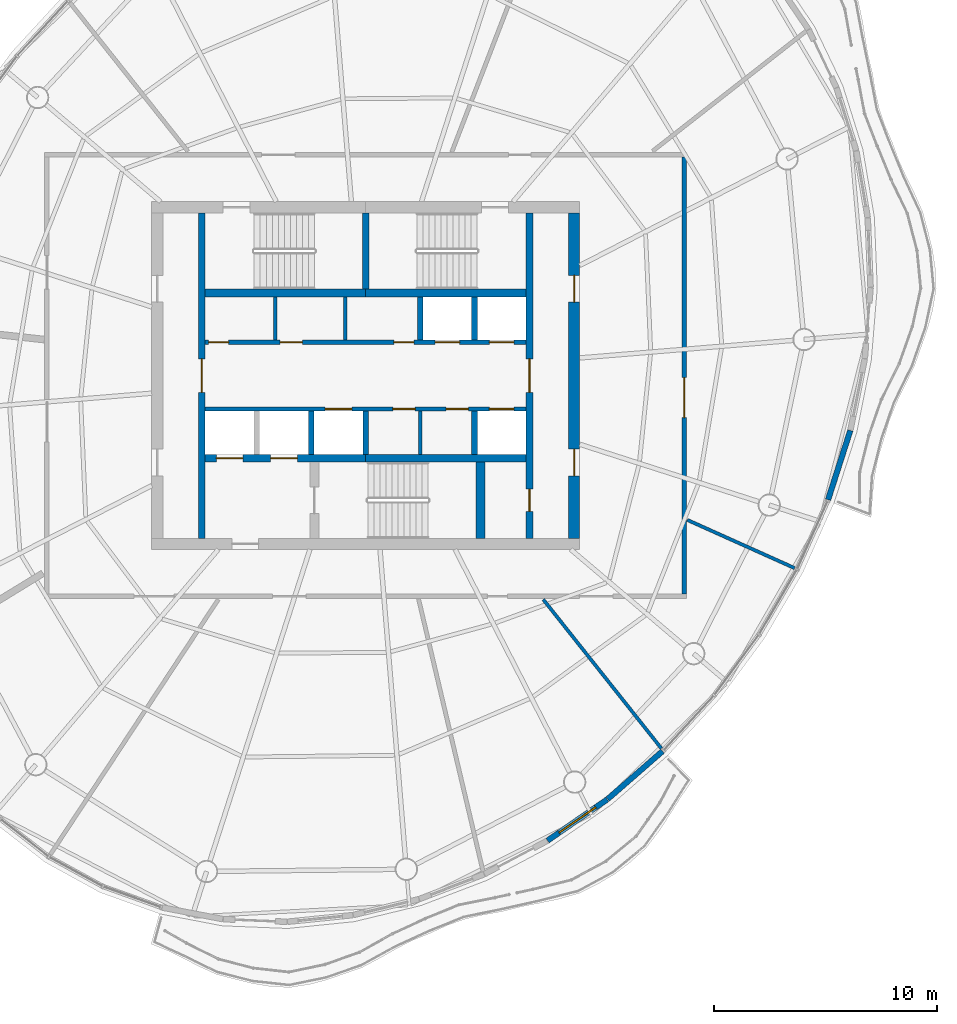
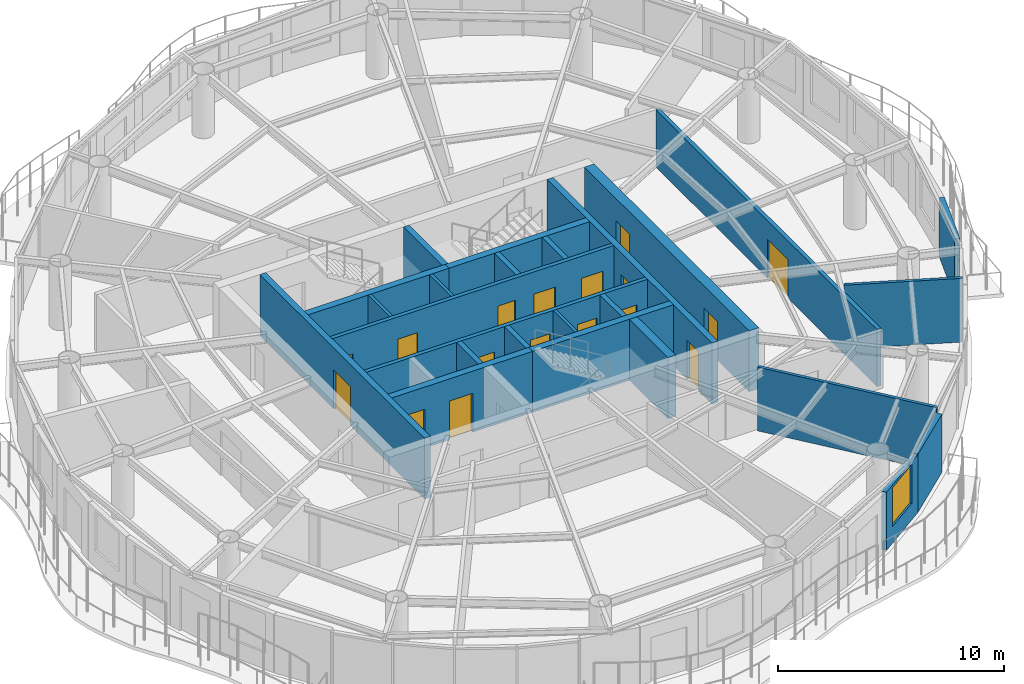
# One storey, part 9 of 15: 25 walls, 17 doors, 1 window, 18 openings.
"""IFC4 building model written with IfcOpenShell, lengths in metres."""

from ifc_helpers import new_model, si_unit, direction, frame, frame_2d, origin, place, context, subcontext, project, spatial, rectangle, extrude, material, layer, layer_set, type_object, element, fill, save


model = new_model("IFC4")

# Units and contexts
model_context = context("Model", 3, precision=1e-05, world=origin(), true_north=direction((0.0, 1.0)))
body_context = subcontext(model_context, "Body", "Model", "MODEL_VIEW")
ifc_project = project(units=[si_unit("LENGTHUNIT", "METRE"), si_unit("AREAUNIT", "SQUARE_METRE"), si_unit("VOLUMEUNIT", "CUBIC_METRE"), si_unit("PLANEANGLEUNIT", "RADIAN"), si_unit("MASSUNIT", "GRAM", prefix="KILO")], contexts=[model_context])

# Site, building, storey
site_placement = place(None, origin())
site = spatial("IfcSite", under=ifc_project, at=site_placement, CompositionType="ELEMENT")
building_placement = place(site_placement, origin())
building = spatial("IfcBuilding", under=site, at=building_placement, Name="Vermilion Reach Broadcast Tower", CompositionType="ELEMENT")
storey_placement = place(building_placement, frame((0.0, 0.0, 261.300048828125)))
storey = spatial("IfcBuildingStorey", under=building, at=storey_placement, Name="L64", CompositionType="ELEMENT", Elevation=261.300048828125)

# Wall, opening, door
ifc_material_1 = material(Name="Concrete C50", Category="concrete")
ifc_layer_1 = layer(ifc_material_1, 0.300048828125)
ifc_layer_set_1 = layer_set([ifc_layer_1], Name="Core inner wall 300 mm Concrete C50")
wall_type_1 = type_object("IfcWallType", Name="Core inner wall 300 mm Concrete C50", PredefinedType="SHEAR", material=ifc_layer_set_1)
wall_1_placement = place(storey_placement, frame((-13.35009765625, 7.300048828125, 0.0), z_axis=(0.0, 0.0, 1.0), x_axis=(0.0, -1.0, 0.0)))
wall_1 = element("IfcWall", 1, at=wall_1_placement, inside=storey, type_object=wall_type_1, Name="L64 core wall ewW", PredefinedType="SHEAR", context=body_context, shape_type="SweptSolid", body=[
    extrude(rectangle(XDim=14.60009765625, YDim=0.300048828125, at=frame_2d((7.300048828125, 0.0))), origin(), (0.0, 0.0, 1.0), 3.300048828125),
])
opening_1_placement = place(wall_1_placement, frame((6.550048828125, 0.0, 0.0)))
opening_1 = element("IfcOpeningElement", 2, at=opening_1_placement, cuts=wall_1, Name="Opening D04", PredefinedType="OPENING", context=body_context, shape_type="SweptSolid", body=[
    extrude(rectangle(XDim=1.5, YDim=2.10009765625, at=frame_2d((0.75, 1.050048828125))), frame((0.0, 0.159912109375, 0.0), z_axis=(0.0, -1.0, 0.0), x_axis=(1.0, 0.0, 0.0)), (0.0, 0.0, 1.0), 0.320068359375),
])
ifc_material_2 = material(Name="Painted steel fire door", Category="steel")
door_type_1 = type_object("IfcDoorType", Name="Lift lobby door 1500 x 2100", OperationType="DOUBLE_DOOR_SINGLE_SWING", PredefinedType="NOTDEFINED", material=ifc_material_2)
door_1_placement = place(opening_1_placement, origin())
door_1 = element("IfcDoor", 3, at=door_1_placement, inside=storey, type_object=door_type_1, Name="L64 band door BW", OperationType="DOUBLE_DOOR_SINGLE_SWING", OverallHeight=2.10009765625, OverallWidth=1.5, PredefinedType="NOTDEFINED", context=body_context, shape_type="SweptSolid", body=[
    extrude(rectangle(XDim=1.5, YDim=2.10009765625, at=frame_2d((0.75, 1.050048828125))), frame((0.0, 0.02490234375, 0.0), z_axis=(0.0, -1.0, 0.0), x_axis=(1.0, 0.0, 0.0)), (0.0, 0.0, 1.0), 0.050048828125),
])
fill(opening_1, door_1)

# Wall, openings, doors
wall_2_placement = place(storey_placement, frame((1.35009765625, -7.300048828125, 0.0), z_axis=(0.0, 0.0, 1.0), x_axis=(0.0, 1.0, 0.0)))
wall_2 = element("IfcWall", 4, at=wall_2_placement, inside=storey, type_object=wall_type_1, Name="L64 core wall ewE", PredefinedType="SHEAR", context=body_context, shape_type="SweptSolid", body=[
    extrude(rectangle(XDim=14.60009765625, YDim=0.300048828125, at=frame_2d((7.300048828125, 0.0))), origin(), (0.0, 0.0, 1.0), 3.300048828125),
])
opening_2_placement = place(wall_2_placement, frame((1.2099609375, 0.0, 0.0)))
opening_2 = element("IfcOpeningElement", 5, at=opening_2_placement, cuts=wall_2, Name="Opening D05", PredefinedType="OPENING", context=body_context, shape_type="SweptSolid", body=[
    extrude(rectangle(XDim=1.0, YDim=2.10009765625, at=frame_2d((0.5, 1.050048828125))), frame((0.0, 0.159912109375, 0.0), z_axis=(0.0, -1.0, 0.0), x_axis=(1.0, 0.0, 0.0)), (0.0, 0.0, 1.0), 0.320068359375),
])
opening_3_placement = place(wall_2_placement, frame((6.550048828125, 0.0, 0.0)))
opening_3 = element("IfcOpeningElement", 6, at=opening_3_placement, cuts=wall_2, Name="Opening D04", PredefinedType="OPENING", context=body_context, shape_type="SweptSolid", body=[
    extrude(rectangle(XDim=1.5, YDim=2.10009765625, at=frame_2d((0.75, 1.050048828125))), frame((0.0, 0.159912109375, 0.0), z_axis=(0.0, -1.0, 0.0), x_axis=(1.0, 0.0, 0.0)), (0.0, 0.0, 1.0), 0.320068359375),
])
door_2_placement = place(opening_3_placement, origin())
door_2 = element("IfcDoor", 7, at=door_2_placement, inside=storey, type_object=door_type_1, Name="L64 band door BE", OperationType="DOUBLE_DOOR_SINGLE_SWING", OverallHeight=2.10009765625, OverallWidth=1.5, PredefinedType="NOTDEFINED", context=body_context, shape_type="SweptSolid", body=[
    extrude(rectangle(XDim=1.5, YDim=2.10009765625, at=frame_2d((0.75, 1.050048828125))), frame((0.0, 0.02490234375, 0.0), z_axis=(0.0, -1.0, 0.0), x_axis=(1.0, 0.0, 0.0)), (0.0, 0.0, 1.0), 0.050048828125),
])
fill(opening_3, door_2)
ifc_material_3 = material(Name="Timber door", Category="wood")
door_type_2 = type_object("IfcDoorType", Name="Room door 1000 x 2100", OperationType="NOTDEFINED", PredefinedType="NOTDEFINED", material=ifc_material_3)
door_3_placement = place(opening_2_placement, origin())
door_3 = element("IfcDoor", 8, at=door_3_placement, inside=storey, type_object=door_type_2, Name="L64 door SER", OperationType="SINGLE_SWING_LEFT", OverallHeight=2.10009765625, OverallWidth=1.0, PredefinedType="NOTDEFINED", context=body_context, shape_type="SweptSolid", body=[
    extrude(rectangle(XDim=1.0, YDim=2.10009765625, at=frame_2d((0.5, 1.050048828125))), frame((0.0, 0.02490234375, 0.0), z_axis=(0.0, -1.0, 0.0), x_axis=(1.0, 0.0, 0.0)), (0.0, 0.0, 1.0), 0.050048828125),
])
fill(opening_2, door_3)

# Walls
wall_3_placement = place(storey_placement, frame((-6.0, 3.8798828125, 0.0), z_axis=(0.0, 0.0, 1.0), x_axis=(0.0, 1.0, 0.0)))
element("IfcWall", 9, at=wall_3_placement, inside=storey, type_object=wall_type_1, Name="L64 core wall wc", PredefinedType="SHEAR", context=body_context, shape_type="SweptSolid", body=[
    extrude(rectangle(XDim=3.420166015625, YDim=0.300048828125, at=frame_2d((1.7099609375, 0.0))), origin(), (0.0, 0.0, 1.0), 3.300048828125),
])
ifc_material_4 = material(Name="Concrete C50", Category="concrete")
ifc_layer_2 = layer(ifc_material_4, 0.35009765625)
ifc_layer_set_2 = layer_set([ifc_layer_2], Name="Core inner wall 350 mm Concrete C50")
wall_type_2 = type_object("IfcWallType", Name="Core inner wall 350 mm Concrete C50", PredefinedType="SHEAR", material=ifc_layer_set_2)
for number, where, z_axis, x_axis, name in (
    (10, (-13.199951171875, 3.705078125, 0.0), (0.0, 0.0, 1.0), (1.0, 0.0, 0.0), "L64 core wall winW"),
    (11, (-6.0, 3.705078125, 0.0), (0.0, 0.0, 1.0), (1.0, 0.0, 0.0), "L64 core wall winE"),
):
    element("IfcWall", number, at=place(storey_placement, frame(where, z_axis=z_axis, x_axis=x_axis)), inside=storey, type_object=wall_type_2, Name=name, PredefinedType="SHEAR", context=body_context, shape_type="SweptSolid", body=[
        extrude(rectangle(XDim=7.199951171875, YDim=0.35009765625, at=frame_2d((3.60009765625, 0.0))), origin(), (0.0, 0.0, 1.0), 3.300048828125),
    ])

# Wall, openings, doors
wall_4_placement = place(storey_placement, frame((-13.199951171875, -3.705078125, 0.0), z_axis=(0.0, 0.0, 1.0), x_axis=(1.0, 0.0, 0.0)))
wall_4 = element("IfcWall", 12, at=wall_4_placement, inside=storey, type_object=wall_type_2, Name="L64 core wall wisW", PredefinedType="SHEAR", context=body_context, shape_type="SweptSolid", body=[
    extrude(rectangle(XDim=7.199951171875, YDim=0.35009765625, at=frame_2d((3.60009765625, 0.0))), origin(), (0.0, 0.0, 1.0), 3.300048828125),
])
opening_4_placement = place(wall_4_placement, frame((0.495849609375, 0.0, 0.0)))
opening_4 = element("IfcOpeningElement", 13, at=opening_4_placement, cuts=wall_4, Name="Opening LD1", PredefinedType="OPENING", context=body_context, shape_type="SweptSolid", body=[
    extrude(rectangle(XDim=1.199951171875, YDim=2.10009765625, at=frame_2d((0.60009765625, 1.050048828125))), frame((0.0, 0.18505859375, 0.0), z_axis=(0.0, -1.0, 0.0), x_axis=(1.0, 0.0, 0.0)), (0.0, 0.0, 1.0), 0.3701171875),
])
opening_5_placement = place(wall_4_placement, frame((2.9375, 0.0, 0.0)))
opening_5 = element("IfcOpeningElement", 14, at=opening_5_placement, cuts=wall_4, Name="Opening LD1", PredefinedType="OPENING", context=body_context, shape_type="SweptSolid", body=[
    extrude(rectangle(XDim=1.199951171875, YDim=2.10009765625, at=frame_2d((0.60009765625, 1.050048828125))), frame((0.0, 0.18505859375, 0.0), z_axis=(0.0, -1.0, 0.0), x_axis=(1.0, 0.0, 0.0)), (0.0, 0.0, 1.0), 0.3701171875),
])
ifc_material_5 = material(Name="Stainless steel", Category="steel")
door_type_3 = type_object("IfcDoorType", Name="Landing door 1200 x 2100", OperationType="DOUBLE_DOOR_SLIDING", PredefinedType="NOTDEFINED", material=ifc_material_5)
door_4_placement = place(opening_4_placement, origin())
door_4 = element("IfcDoor", 15, at=door_4_placement, inside=storey, type_object=door_type_3, Name="L64 landing door FF1", OperationType="DOUBLE_DOOR_SLIDING", OverallHeight=2.10009765625, OverallWidth=1.199951171875, PredefinedType="NOTDEFINED", context=body_context, shape_type="SweptSolid", body=[
    extrude(rectangle(XDim=1.199951171875, YDim=2.10009765625, at=frame_2d((0.60009765625, 1.050048828125))), frame((0.0, 0.02490234375, 0.0), z_axis=(0.0, -1.0, 0.0), x_axis=(1.0, 0.0, 0.0)), (0.0, 0.0, 1.0), 0.050048828125),
])
fill(opening_4, door_4)
door_5_placement = place(opening_5_placement, origin())
door_5 = element("IfcDoor", 16, at=door_5_placement, inside=storey, type_object=door_type_3, Name="L64 landing door FF2", OperationType="DOUBLE_DOOR_SLIDING", OverallHeight=2.10009765625, OverallWidth=1.199951171875, PredefinedType="NOTDEFINED", context=body_context, shape_type="SweptSolid", body=[
    extrude(rectangle(XDim=1.199951171875, YDim=2.10009765625, at=frame_2d((0.60009765625, 1.050048828125))), frame((0.0, 0.02490234375, 0.0), z_axis=(0.0, -1.0, 0.0), x_axis=(1.0, 0.0, 0.0)), (0.0, 0.0, 1.0), 0.050048828125),
])
fill(opening_5, door_5)

# Walls
wall_5_placement = place(storey_placement, frame((-6.0, -3.705078125, 0.0), z_axis=(0.0, 0.0, 1.0), x_axis=(1.0, 0.0, 0.0)))
element("IfcWall", 17, at=wall_5_placement, inside=storey, type_object=wall_type_2, Name="L64 core wall wisE", PredefinedType="SHEAR", context=body_context, shape_type="SweptSolid", body=[
    extrude(rectangle(XDim=7.199951171875, YDim=0.35009765625, at=frame_2d((3.60009765625, 0.0))), origin(), (0.0, 0.0, 1.0), 3.300048828125),
])
ifc_material_6 = material(Name="Concrete C50", Category="concrete")
ifc_layer_3 = layer(ifc_material_6, 0.39990234375)
ifc_layer_set_3 = layer_set([ifc_layer_3], Name="Core inner wall 400 mm Concrete C50")
wall_type_3 = type_object("IfcWallType", Name="Core inner wall 400 mm Concrete C50", PredefinedType="SHEAR", material=ifc_layer_set_3)
wall_6_placement = place(storey_placement, frame((-0.85009765625, -3.8798828125, 0.0), z_axis=(0.0, 0.0, 1.0), x_axis=(0.0, -1.0, 0.0)))
element("IfcWall", 18, at=wall_6_placement, inside=storey, type_object=wall_type_3, Name="L64 core wall wb", PredefinedType="SHEAR", context=body_context, shape_type="SweptSolid", body=[
    extrude(rectangle(XDim=3.420166015625, YDim=0.39990234375, at=frame_2d((1.7099609375, 0.0))), origin(), (0.0, 0.0, 1.0), 3.300048828125),
])

# Wall, openings, doors
ifc_material_7 = material(Name="Concrete C50", Category="concrete")
ifc_layer_4 = layer(ifc_material_7, 0.5)
ifc_layer_set_4 = layer_set([ifc_layer_4], Name="Core outer wall 500 mm Concrete C50")
wall_type_4 = type_object("IfcWallType", Name="Core outer wall 500 mm Concrete C50", PredefinedType="SHEAR", material=ifc_layer_set_4)
wall_7_placement = place(storey_placement, frame((3.35009765625, -7.300048828125, 0.0), z_axis=(0.0, 0.0, 1.0), x_axis=(0.0, 1.0, 0.0)))
wall_7 = element("IfcWall", 19, at=wall_7_placement, inside=storey, type_object=wall_type_4, Name="L64 core wall oe", PredefinedType="SHEAR", context=body_context, shape_type="SweptSolid", body=[
    extrude(rectangle(XDim=14.60009765625, YDim=0.5, at=frame_2d((7.300048828125, 0.0))), origin(), (0.0, 0.0, 1.0), 3.300048828125),
])
opening_6_placement = place(wall_7_placement, frame((2.800048828125, 0.0, 0.0)))
opening_6 = element("IfcOpeningElement", 20, at=opening_6_placement, cuts=wall_7, Name="Opening D03", PredefinedType="OPENING", context=body_context, shape_type="SweptSolid", body=[
    extrude(rectangle(XDim=1.199951171875, YDim=2.10009765625, at=frame_2d((0.60009765625, 1.050048828125))), frame((0.0, 0.260009765625, 0.0), z_axis=(0.0, -1.0, 0.0), x_axis=(1.0, 0.0, 0.0)), (0.0, 0.0, 1.0), 0.52001953125),
])
opening_7_placement = place(wall_7_placement, frame((10.60009765625, 0.0, 0.0)))
opening_7 = element("IfcOpeningElement", 21, at=opening_7_placement, cuts=wall_7, Name="Opening D03", PredefinedType="OPENING", context=body_context, shape_type="SweptSolid", body=[
    extrude(rectangle(XDim=1.199951171875, YDim=2.10009765625, at=frame_2d((0.60009765625, 1.050048828125))), frame((0.0, 0.260009765625, 0.0), z_axis=(0.0, -1.0, 0.0), x_axis=(1.0, 0.0, 0.0)), (0.0, 0.0, 1.0), 0.52001953125),
])
ifc_material_8 = material(Name="Painted steel fire door", Category="steel")
door_type_4 = type_object("IfcDoorType", Name="Core lobby door 1200 x 2100", OperationType="DOUBLE_DOOR_SINGLE_SWING", PredefinedType="NOTDEFINED", material=ifc_material_8)
door_6_placement = place(opening_6_placement, origin())
door_6 = element("IfcDoor", 22, at=door_6_placement, inside=storey, type_object=door_type_4, Name="L64 slot door E0", OperationType="DOUBLE_DOOR_SINGLE_SWING", OverallHeight=2.10009765625, OverallWidth=1.199951171875, PredefinedType="NOTDEFINED", context=body_context, shape_type="SweptSolid", body=[
    extrude(rectangle(XDim=1.199951171875, YDim=2.10009765625, at=frame_2d((0.60009765625, 1.050048828125))), frame((0.0, 0.02490234375, 0.0), z_axis=(0.0, -1.0, 0.0), x_axis=(1.0, 0.0, 0.0)), (0.0, 0.0, 1.0), 0.050048828125),
])
fill(opening_6, door_6)
door_7_placement = place(opening_7_placement, origin())
door_7 = element("IfcDoor", 23, at=door_7_placement, inside=storey, type_object=door_type_4, Name="L64 slot door E1", OperationType="DOUBLE_DOOR_SINGLE_SWING", OverallHeight=2.10009765625, OverallWidth=1.199951171875, PredefinedType="NOTDEFINED", context=body_context, shape_type="SweptSolid", body=[
    extrude(rectangle(XDim=1.199951171875, YDim=2.10009765625, at=frame_2d((0.60009765625, 1.050048828125))), frame((0.0, 0.02490234375, 0.0), z_axis=(0.0, -1.0, 0.0), x_axis=(1.0, 0.0, 0.0)), (0.0, 0.0, 1.0), 0.050048828125),
])
fill(opening_7, door_7)

# Walls
ifc_material_9 = material(Name="Masonry block", Category="masonry")
ifc_layer_5 = layer(ifc_material_9, 0.14990234375)
ifc_layer_set_5 = layer_set([ifc_layer_5], Name="Core partition wall 150 mm Masonry block")
wall_type_5 = type_object("IfcWallType", Name="Core partition wall 150 mm Masonry block", PredefinedType="PARTITIONING", material=ifc_layer_set_5)
for number, where, z_axis, x_axis, name in (
    (24, (-10.0595703125, 1.60009765625, 0.0), (0.0, 0.0, 1.0), (0.0, 1.0, 0.0), "L64 core wall prN-4060"),
    (25, (-6.9189453125, 1.60009765625, 0.0), (0.0, 0.0, 1.0), (0.0, 1.0, 0.0), "L64 core wall prN-919"),
    (26, (-3.558349609375, -1.60009765625, 0.0), (0.0, 0.0, 1.0), (0.0, -1.0, 0.0), "L64 core wall prS2442"),
):
    element("IfcWall", number, at=place(storey_placement, frame(where, z_axis=z_axis, x_axis=x_axis)), inside=storey, type_object=wall_type_5, Name=name, PredefinedType="PARTITIONING", context=body_context, shape_type="SweptSolid", body=[
        extrude(rectangle(XDim=1.929931640625, YDim=0.14990234375, at=frame_2d((0.96484375, 0.0))), origin(), (0.0, 0.0, 1.0), 3.300048828125),
    ])

# Wall, openings, doors
ifc_material_10 = material(Name="Concrete C50", Category="concrete")
ifc_layer_6 = layer(ifc_material_10, 0.199951171875)
ifc_layer_set_6 = layer_set([ifc_layer_6], Name="Core shaft wall 200 mm Concrete C50")
wall_type_6 = type_object("IfcWallType", Name="Core shaft wall 200 mm Concrete C50", PredefinedType="SHEAR", material=ifc_layer_set_6)
wall_8_placement = place(storey_placement, frame((-13.199951171875, 1.5, 0.0), z_axis=(0.0, 0.0, 1.0), x_axis=(1.0, 0.0, 0.0)))
wall_8 = element("IfcWall", 27, at=wall_8_placement, inside=storey, type_object=wall_type_6, Name="L64 core wall fn", PredefinedType="SHEAR", context=body_context, shape_type="SweptSolid", body=[
    extrude(rectangle(XDim=14.39990234375, YDim=0.199951171875, at=frame_2d((7.199951171875, 0.0))), origin(), (0.0, 0.0, 1.0), 3.300048828125),
])
opening_8_placement = place(wall_8_placement, frame((10.3125, 0.0, 0.0)))
opening_8 = element("IfcOpeningElement", 28, at=opening_8_placement, cuts=wall_8, Name="Opening LD2", PredefinedType="OPENING", context=body_context, shape_type="SweptSolid", body=[
    extrude(rectangle(XDim=1.10009765625, YDim=2.10009765625, at=frame_2d((0.550048828125, 1.050048828125))), frame((0.0, 0.10986328125, 0.0), z_axis=(0.0, -1.0, 0.0), x_axis=(1.0, 0.0, 0.0)), (0.0, 0.0, 1.0), 0.219970703125),
])
opening_9_placement = place(wall_8_placement, frame((12.754150390625, 0.0, 0.0)))
opening_9 = element("IfcOpeningElement", 29, at=opening_9_placement, cuts=wall_8, Name="Opening LD2", PredefinedType="OPENING", context=body_context, shape_type="SweptSolid", body=[
    extrude(rectangle(XDim=1.10009765625, YDim=2.10009765625, at=frame_2d((0.550048828125, 1.050048828125))), frame((0.0, 0.10986328125, 0.0), z_axis=(0.0, -1.0, 0.0), x_axis=(1.0, 0.0, 0.0)), (0.0, 0.0, 1.0), 0.219970703125),
])
opening_10_placement = place(wall_8_placement, frame((0.14990234375, 0.0, 0.0)))
opening_10 = element("IfcOpeningElement", 30, at=opening_10_placement, cuts=wall_8, Name="Opening D06", PredefinedType="OPENING", context=body_context, shape_type="SweptSolid", body=[
    extrude(rectangle(XDim=0.89990234375, YDim=2.10009765625, at=frame_2d((0.449951171875, 1.050048828125))), frame((0.0, 0.10986328125, 0.0), z_axis=(0.0, -1.0, 0.0), x_axis=(1.0, 0.0, 0.0)), (0.0, 0.0, 1.0), 0.219970703125),
])
opening_11_placement = place(wall_8_placement, frame((3.365478515625, 0.0, 0.0)))
opening_11 = element("IfcOpeningElement", 31, at=opening_11_placement, cuts=wall_8, Name="Opening D07", PredefinedType="OPENING", context=body_context, shape_type="SweptSolid", body=[
    extrude(rectangle(XDim=1.0, YDim=2.10009765625, at=frame_2d((0.5, 1.050048828125))), frame((0.0, 0.10986328125, 0.0), z_axis=(0.0, -1.0, 0.0), x_axis=(1.0, 0.0, 0.0)), (0.0, 0.0, 1.0), 0.219970703125),
])
opening_12_placement = place(wall_8_placement, frame((8.466552734375, 0.0, 0.0)))
opening_12 = element("IfcOpeningElement", 32, at=opening_12_placement, cuts=wall_8, Name="Opening D06", PredefinedType="OPENING", context=body_context, shape_type="SweptSolid", body=[
    extrude(rectangle(XDim=0.89990234375, YDim=2.10009765625, at=frame_2d((0.449951171875, 1.050048828125))), frame((0.0, 0.10986328125, 0.0), z_axis=(0.0, -1.0, 0.0), x_axis=(1.0, 0.0, 0.0)), (0.0, 0.0, 1.0), 0.219970703125),
])
ifc_material_11 = material(Name="Timber door", Category="wood")
door_type_5 = type_object("IfcDoorType", Name="Accessible WC door 1000 x 2100", OperationType="NOTDEFINED", PredefinedType="NOTDEFINED", material=ifc_material_11)
door_8_placement = place(opening_11_placement, origin())
door_8 = element("IfcDoor", 33, at=door_8_placement, inside=storey, type_object=door_type_5, Name="L64 door Accessible WC", OperationType="SINGLE_SWING_LEFT", OverallHeight=2.10009765625, OverallWidth=1.0, PredefinedType="NOTDEFINED", context=body_context, shape_type="SweptSolid", body=[
    extrude(rectangle(XDim=1.0, YDim=2.10009765625, at=frame_2d((0.5, 1.050048828125))), frame((0.0, 0.02490234375, 0.0), z_axis=(0.0, -1.0, 0.0), x_axis=(1.0, 0.0, 0.0)), (0.0, 0.0, 1.0), 0.050048828125),
])
fill(opening_11, door_8)
ifc_material_12 = material(Name="Stainless steel", Category="steel")
door_type_6 = type_object("IfcDoorType", Name="Landing door 1100 x 2100", OperationType="DOUBLE_DOOR_SLIDING", PredefinedType="NOTDEFINED", material=ifc_material_12)
door_9_placement = place(opening_8_placement, origin())
door_9 = element("IfcDoor", 34, at=door_9_placement, inside=storey, type_object=door_type_6, Name="L64 landing door HR1", OperationType="DOUBLE_DOOR_SLIDING", OverallHeight=2.10009765625, OverallWidth=1.10009765625, PredefinedType="NOTDEFINED", context=body_context, shape_type="SweptSolid", body=[
    extrude(rectangle(XDim=1.10009765625, YDim=2.10009765625, at=frame_2d((0.550048828125, 1.050048828125))), frame((0.0, 0.02490234375, 0.0), z_axis=(0.0, -1.0, 0.0), x_axis=(1.0, 0.0, 0.0)), (0.0, 0.0, 1.0), 0.050048828125),
])
fill(opening_8, door_9)
door_10_placement = place(opening_9_placement, origin())
door_10 = element("IfcDoor", 35, at=door_10_placement, inside=storey, type_object=door_type_6, Name="L64 landing door HR2", OperationType="DOUBLE_DOOR_SLIDING", OverallHeight=2.10009765625, OverallWidth=1.10009765625, PredefinedType="NOTDEFINED", context=body_context, shape_type="SweptSolid", body=[
    extrude(rectangle(XDim=1.10009765625, YDim=2.10009765625, at=frame_2d((0.550048828125, 1.050048828125))), frame((0.0, 0.02490234375, 0.0), z_axis=(0.0, -1.0, 0.0), x_axis=(1.0, 0.0, 0.0)), (0.0, 0.0, 1.0), 0.050048828125),
])
fill(opening_9, door_10)
ifc_material_13 = material(Name="Timber door", Category="wood")
door_type_7 = type_object("IfcDoorType", Name="WC door 900 x 2100", OperationType="NOTDEFINED", PredefinedType="NOTDEFINED", material=ifc_material_13)
door_11_placement = place(opening_10_placement, origin())
door_11 = element("IfcDoor", 36, at=door_11_placement, inside=storey, type_object=door_type_7, Name="L64 door Male WC", OperationType="SINGLE_SWING_LEFT", OverallHeight=2.10009765625, OverallWidth=0.89990234375, PredefinedType="NOTDEFINED", context=body_context, shape_type="SweptSolid", body=[
    extrude(rectangle(XDim=0.89990234375, YDim=2.10009765625, at=frame_2d((0.449951171875, 1.050048828125))), frame((0.0, 0.02490234375, 0.0), z_axis=(0.0, -1.0, 0.0), x_axis=(1.0, 0.0, 0.0)), (0.0, 0.0, 1.0), 0.050048828125),
])
fill(opening_10, door_11)
door_12_placement = place(opening_12_placement, origin())
door_12 = element("IfcDoor", 37, at=door_12_placement, inside=storey, type_object=door_type_7, Name="L64 door Female WC", OperationType="SINGLE_SWING_RIGHT", OverallHeight=2.10009765625, OverallWidth=0.89990234375, PredefinedType="NOTDEFINED", context=body_context, shape_type="SweptSolid", body=[
    extrude(rectangle(XDim=0.89990234375, YDim=2.10009765625, at=frame_2d((0.449951171875, 1.050048828125))), frame((0.0, 0.02490234375, 0.0), z_axis=(0.0, -1.0, 0.0), x_axis=(1.0, 0.0, 0.0)), (0.0, 0.0, 1.0), 0.050048828125),
])
fill(opening_12, door_12)

wall_9_placement = place(storey_placement, frame((1.199951171875, -1.5, 0.0), z_axis=(0.0, 0.0, 1.0), x_axis=(-1.0, 0.0, 0.0)))
wall_9 = element("IfcWall", 38, at=wall_9_placement, inside=storey, type_object=wall_type_6, Name="L64 core wall fs", PredefinedType="SHEAR", context=body_context, shape_type="SweptSolid", body=[
    extrude(rectangle(XDim=14.39990234375, YDim=0.199951171875, at=frame_2d((7.199951171875, 0.0))), origin(), (0.0, 0.0, 1.0), 3.300048828125),
])
opening_13_placement = place(wall_9_placement, frame((7.82080078125, 0.0, 0.0)))
opening_13 = element("IfcOpeningElement", 39, at=opening_13_placement, cuts=wall_9, Name="Opening LD1", PredefinedType="OPENING", context=body_context, shape_type="SweptSolid", body=[
    extrude(rectangle(XDim=1.199951171875, YDim=2.10009765625, at=frame_2d((0.60009765625, 1.050048828125))), frame((0.0, 0.10986328125, 0.0), z_axis=(0.0, -1.0, 0.0), x_axis=(1.0, 0.0, 0.0)), (0.0, 0.0, 1.0), 0.219970703125),
])
opening_14_placement = place(wall_9_placement, frame((0.5458984375, 0.0, 0.0)))
opening_14 = element("IfcOpeningElement", 40, at=opening_14_placement, cuts=wall_9, Name="Opening LD2", PredefinedType="OPENING", context=body_context, shape_type="SweptSolid", body=[
    extrude(rectangle(XDim=1.10009765625, YDim=2.10009765625, at=frame_2d((0.550048828125, 1.050048828125))), frame((0.0, 0.10986328125, 0.0), z_axis=(0.0, -1.0, 0.0), x_axis=(1.0, 0.0, 0.0)), (0.0, 0.0, 1.0), 0.219970703125),
])
opening_15_placement = place(wall_9_placement, frame((4.9833984375, 0.0, 0.0)))
opening_15 = element("IfcOpeningElement", 41, at=opening_15_placement, cuts=wall_9, Name="Opening D10", PredefinedType="OPENING", context=body_context, shape_type="SweptSolid", body=[
    extrude(rectangle(XDim=1.0, YDim=2.10009765625, at=frame_2d((0.5, 1.050048828125))), frame((0.0, 0.10986328125, 0.0), z_axis=(0.0, -1.0, 0.0), x_axis=(1.0, 0.0, 0.0)), (0.0, 0.0, 1.0), 0.219970703125),
])
opening_16_placement = place(wall_9_placement, frame((2.591552734375, 0.0, 0.0)))
opening_16 = element("IfcOpeningElement", 42, at=opening_16_placement, cuts=wall_9, Name="Opening D11", PredefinedType="OPENING", context=body_context, shape_type="SweptSolid", body=[
    extrude(rectangle(XDim=1.0, YDim=2.10009765625, at=frame_2d((0.5, 1.050048828125))), frame((0.0, 0.10986328125, 0.0), z_axis=(0.0, -1.0, 0.0), x_axis=(1.0, 0.0, 0.0)), (0.0, 0.0, 1.0), 0.219970703125),
])
door_13_placement = place(opening_14_placement, origin())
door_13 = element("IfcDoor", 43, at=door_13_placement, inside=storey, type_object=door_type_6, Name="L64 landing door HR3", OperationType="DOUBLE_DOOR_SLIDING", OverallHeight=2.10009765625, OverallWidth=1.10009765625, PredefinedType="NOTDEFINED", context=body_context, shape_type="SweptSolid", body=[
    extrude(rectangle(XDim=1.10009765625, YDim=2.10009765625, at=frame_2d((0.550048828125, 1.050048828125))), frame((0.0, 0.02490234375, 0.0), z_axis=(0.0, -1.0, 0.0), x_axis=(1.0, 0.0, 0.0)), (0.0, 0.0, 1.0), 0.050048828125),
])
fill(opening_14, door_13)
door_14_placement = place(opening_13_placement, origin())
door_14 = element("IfcDoor", 44, at=door_14_placement, inside=storey, type_object=door_type_3, Name="L64 landing door SV1", OperationType="DOUBLE_DOOR_SLIDING", OverallHeight=2.10009765625, OverallWidth=1.199951171875, PredefinedType="NOTDEFINED", context=body_context, shape_type="SweptSolid", body=[
    extrude(rectangle(XDim=1.199951171875, YDim=2.10009765625, at=frame_2d((0.60009765625, 1.050048828125))), frame((0.0, 0.02490234375, 0.0), z_axis=(0.0, -1.0, 0.0), x_axis=(1.0, 0.0, 0.0)), (0.0, 0.0, 1.0), 0.050048828125),
])
fill(opening_13, door_14)
ifc_material_14 = material(Name="Painted steel fire door", Category="steel")
door_type_8 = type_object("IfcDoorType", Name="Services room door 1000 x 2100", OperationType="NOTDEFINED", PredefinedType="NOTDEFINED", material=ifc_material_14)
door_15_placement = place(opening_16_placement, origin())
door_15 = element("IfcDoor", 45, at=door_15_placement, inside=storey, type_object=door_type_8, Name="L64 door Electrical room", OperationType="SINGLE_SWING_LEFT", OverallHeight=2.10009765625, OverallWidth=1.0, PredefinedType="NOTDEFINED", context=body_context, shape_type="SweptSolid", body=[
    extrude(rectangle(XDim=1.0, YDim=2.10009765625, at=frame_2d((0.5, 1.050048828125))), frame((0.0, 0.02490234375, 0.0), z_axis=(0.0, -1.0, 0.0), x_axis=(1.0, 0.0, 0.0)), (0.0, 0.0, 1.0), 0.050048828125),
])
fill(opening_16, door_15)
ifc_material_15 = material(Name="Timber door", Category="wood")
door_type_9 = type_object("IfcDoorType", Name="WC lobby door 1000 x 2100", OperationType="NOTDEFINED", PredefinedType="NOTDEFINED", material=ifc_material_15)
door_16_placement = place(opening_15_placement, origin())
door_16 = element("IfcDoor", 46, at=door_16_placement, inside=storey, type_object=door_type_9, Name="L64 door WC lobby", OperationType="SINGLE_SWING_LEFT", OverallHeight=2.10009765625, OverallWidth=1.0, PredefinedType="NOTDEFINED", context=body_context, shape_type="SweptSolid", body=[
    extrude(rectangle(XDim=1.0, YDim=2.10009765625, at=frame_2d((0.5, 1.050048828125))), frame((0.0, 0.02490234375, 0.0), z_axis=(0.0, -1.0, 0.0), x_axis=(1.0, 0.0, 0.0)), (0.0, 0.0, 1.0), 0.050048828125),
])
fill(opening_15, door_16)

# Walls
ifc_material_16 = material(Name="Concrete C50", Category="concrete")
ifc_layer_7 = layer(ifc_material_16, 0.25)
ifc_layer_set_7 = layer_set([ifc_layer_7], Name="Core shaft wall 250 mm Concrete C50")
wall_type_7 = type_object("IfcWallType", Name="Core shaft wall 250 mm Concrete C50", PredefinedType="SHEAR", material=ifc_layer_set_7)
for number, where, z_axis, x_axis, name in (
    (47, (-3.558349609375, 1.60009765625, 0.0), (0.0, 0.0, 1.0), (0.0, 1.0, 0.0), "L64 core wall psN3"),
    (48, (-1.11669921875, 1.60009765625, 0.0), (0.0, 0.0, 1.0), (0.0, 1.0, 0.0), "L64 core wall psN4"),
    (49, (-8.441650390625, -1.60009765625, 0.0), (0.0, 0.0, 1.0), (0.0, -1.0, 0.0), "L64 core wall psS1"),
    (50, (-6.0, -1.60009765625, 0.0), (0.0, 0.0, 1.0), (0.0, -1.0, 0.0), "L64 core wall psS2"),
    (51, (-1.11669921875, -1.60009765625, 0.0), (0.0, 0.0, 1.0), (0.0, -1.0, 0.0), "L64 core wall psS4"),
):
    element("IfcWall", number, at=place(storey_placement, frame(where, z_axis=z_axis, x_axis=x_axis)), inside=storey, type_object=wall_type_7, Name=name, PredefinedType="SHEAR", context=body_context, shape_type="SweptSolid", body=[
        extrude(rectangle(XDim=1.929931640625, YDim=0.25, at=frame_2d((0.96484375, 0.0))), origin(), (0.0, 0.0, 1.0), 3.300048828125),
    ])
ifc_material_17 = material(Name="Lightweight concrete block, plastered", Category="concrete")
ifc_layer_8 = layer(ifc_material_17, 0.14990234375)
ifc_layer_set_8 = layer_set([ifc_layer_8], Name="Partition 150 lightweight block")
wall_type_8 = type_object("IfcWallType", Name="Partition 150 lightweight block", PredefinedType="PARTITIONING", material=ifc_layer_set_8)
wall_10_placement = place(storey_placement, frame((7.268798828125, -16.729736328125, 0.0), z_axis=(0.0, 0.0, 1.0), x_axis=(-0.62140501057, 0.783489510356, 0.0)))
element("IfcWall", 52, at=wall_10_placement, inside=storey, type_object=wall_type_8, Name="Partition 64.07", PredefinedType="PARTITIONING", context=body_context, shape_type="SweptSolid", body=[
    extrude(rectangle(XDim=8.530029296875, YDim=0.14990234375, at=frame_2d((4.26513671875, 0.0))), origin(), (0.0, 0.0, 1.0), 3.449951171875),
])
wall_11_placement = place(storey_placement, frame((13.24267578125, -8.636962890625, 0.0), z_axis=(0.0, 0.0, 1.0), x_axis=(-0.912328117743, 0.409459894954, 0.0)))
element("IfcWall", 53, at=wall_11_placement, inside=storey, type_object=wall_type_8, Name="Partition 64.08", PredefinedType="PARTITIONING", context=body_context, shape_type="SweptSolid", body=[
    extrude(rectangle(XDim=5.2744140625, YDim=0.14990234375, at=frame_2d((2.63720703125, 0.0))), origin(), (0.0, 0.0, 1.0), 3.449951171875),
])

# Wall, opening, window
ifc_material_18 = material(Name="Terracotta rainscreen cladding", Category="masonry")
ifc_layer_9 = layer(ifc_material_18, 0.25)
ifc_layer_set_9 = layer_set([ifc_layer_9], Name="Terracotta rainscreen wall 250")
wall_type_9 = type_object("IfcWallType", Name="Terracotta rainscreen wall 250", PredefinedType="SOLIDWALL", material=ifc_layer_set_9)
wall_12_placement = place(storey_placement, frame((2.162841796875, -20.861572265625, 0.0), z_axis=(0.0, 0.0, 1.0), x_axis=(0.822813315807, 0.568311751885, 0.0)))
wall_12 = element("IfcWall", 54, at=wall_12_placement, inside=storey, type_object=wall_type_9, Name="External wall L64 32", PredefinedType="SOLIDWALL", context=body_context, shape_type="SweptSolid", body=[
    extrude(rectangle(XDim=3.251953125, YDim=0.25, at=frame_2d((1.6259765625, 0.0))), origin(), (0.0, 0.0, 1.0), 3.14990234375),
])
opening_17_placement = place(wall_12_placement, frame((0.6259765625, 0.0, 0.89990234375)))
opening_17 = element("IfcOpeningElement", 55, at=opening_17_placement, cuts=wall_12, Name="Opening W03", PredefinedType="OPENING", context=body_context, shape_type="SweptSolid", body=[
    extrude(rectangle(XDim=2.0, YDim=2.10009765625, at=frame_2d((1.0, 1.050048828125))), frame((0.0, 0.135009765625, 0.0), z_axis=(0.0, -1.0, 0.0), x_axis=(1.0, 0.0, 0.0)), (0.0, 0.0, 1.0), 0.27001953125),
])
ifc_material_19 = material(Name="Low-e laminated clear glass in aluminium frame", Category="aluminium")
window_type = type_object("IfcWindowType", Name="Punched window 2000 x 2100 sill 900", PartitioningType="SINGLE_PANEL", PredefinedType="WINDOW", material=ifc_material_19)
window_placement = place(opening_17_placement, origin())
window = element("IfcWindow", 56, at=window_placement, inside=storey, type_object=window_type, Name="Window L64 32", OverallHeight=2.10009765625, OverallWidth=2.0, PartitioningType="SINGLE_PANEL", PredefinedType="WINDOW", context=body_context, shape_type="SweptSolid", body=[
    extrude(rectangle(XDim=2.0, YDim=2.10009765625, at=frame_2d((1.0, 1.050048828125))), frame((0.0, 0.030029296875, 0.0), z_axis=(0.0, -1.0, 0.0), x_axis=(1.0, 0.0, 0.0)), (0.0, 0.0, 1.0), 0.06005859375),
])
fill(opening_17, window)

# Walls
wall_13_placement = place(storey_placement, frame((4.85595703125, -18.999755859375, 0.0), z_axis=(0.0, 0.0, 1.0), x_axis=(0.753618743279, 0.657311790385, 0.0)))
element("IfcWall", 57, at=wall_13_placement, inside=storey, type_object=wall_type_9, Name="External wall L64 33", PredefinedType="SOLIDWALL", context=body_context, shape_type="SweptSolid", body=[
    extrude(rectangle(XDim=3.2626953125, YDim=0.25, at=frame_2d((1.63134765625, 0.0))), origin(), (0.0, 0.0, 1.0), 3.14990234375),
])
wall_14_placement = place(storey_placement, frame((14.745361328125, -5.56884765625, 0.0), z_axis=(0.0, 0.0, 1.0), x_axis=(0.305926817151, 0.95205503126, 0.0)))
element("IfcWall", 58, at=wall_14_placement, inside=storey, type_object=wall_type_9, Name="External wall L64 38", PredefinedType="SOLIDWALL", context=body_context, shape_type="SweptSolid", body=[
    extrude(rectangle(XDim=3.262451171875, YDim=0.25, at=frame_2d((1.63134765625, 0.0))), origin(), (0.0, 0.0, 1.0), 3.14990234375),
])

# Wall, opening, door
ifc_material_20 = material(Name="Fire-rated gypsum board partition")
ifc_layer_10 = layer(ifc_material_20, 0.199951171875)
ifc_layer_set_10 = layer_set([ifc_layer_10], Name="Under girder: Corridor wall 200 fire-rated")
wall_type_10 = type_object("IfcWallType", Name="Under girder: Corridor wall 200 fire-rated", PredefinedType="PARTITIONING", material=ifc_layer_set_10)
wall_15_placement = place(storey_placement, frame((8.300048828125, 9.800048828125, 0.0), z_axis=(0.0, 0.0, 1.0), x_axis=(0.0, -1.0, 0.0)))
wall_15 = element("IfcWall", 59, at=wall_15_placement, inside=storey, type_object=wall_type_10, Name="Corridor wall 64.E", PredefinedType="PARTITIONING", context=body_context, shape_type="SweptSolid", body=[
    extrude(rectangle(XDim=19.60009765625, YDim=0.199951171875, at=frame_2d((9.800048828125, 0.0))), origin(), (0.0, 0.0, 1.0), 3.099853515625),
])
opening_18_placement = place(wall_15_placement, frame((9.889404296875, 0.0, 0.0)))
opening_18 = element("IfcOpeningElement", 60, at=opening_18_placement, cuts=wall_15, Name="Opening D21", PredefinedType="OPENING", context=body_context, shape_type="SweptSolid", body=[
    extrude(rectangle(XDim=1.800048828125, YDim=2.10009765625, at=frame_2d((0.89990234375, 1.050048828125))), frame((0.0, 0.10986328125, 0.0), z_axis=(0.0, -1.0, 0.0), x_axis=(1.0, 0.0, 0.0)), (0.0, 0.0, 1.0), 0.219970703125),
])
ifc_material_21 = material(Name="Timber door leaf", Category="wood")
door_type_10 = type_object("IfcDoorType", Name="Door pair 1800x2100", OperationType="NOTDEFINED", PredefinedType="DOOR", material=ifc_material_21)
door_17_placement = place(opening_18_placement, origin())
door_17 = element("IfcDoor", 61, at=door_17_placement, inside=storey, type_object=door_type_10, Name="Door 64.08", OperationType="DOUBLE_DOOR_SINGLE_SWING", OverallHeight=2.10009765625, OverallWidth=1.800048828125, PredefinedType="DOOR", context=body_context, shape_type="SweptSolid", body=[
    extrude(rectangle(XDim=1.800048828125, YDim=2.10009765625, at=frame_2d((0.89990234375, 1.050048828125))), frame((0.0, 0.02490234375, 0.0), z_axis=(0.0, -1.0, 0.0), x_axis=(1.0, 0.0, 0.0)), (0.0, 0.0, 1.0), 0.050048828125),
])
fill(opening_18, door_17)

save(model, "model.ifc")
